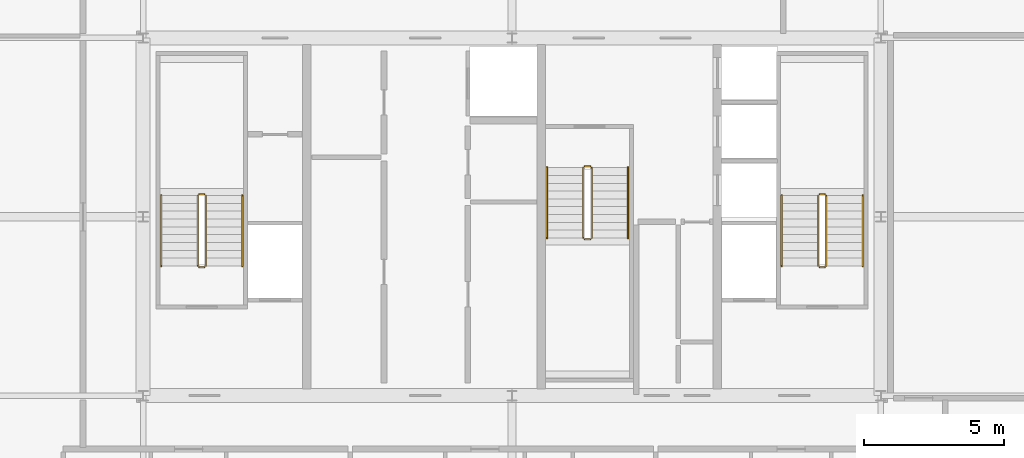
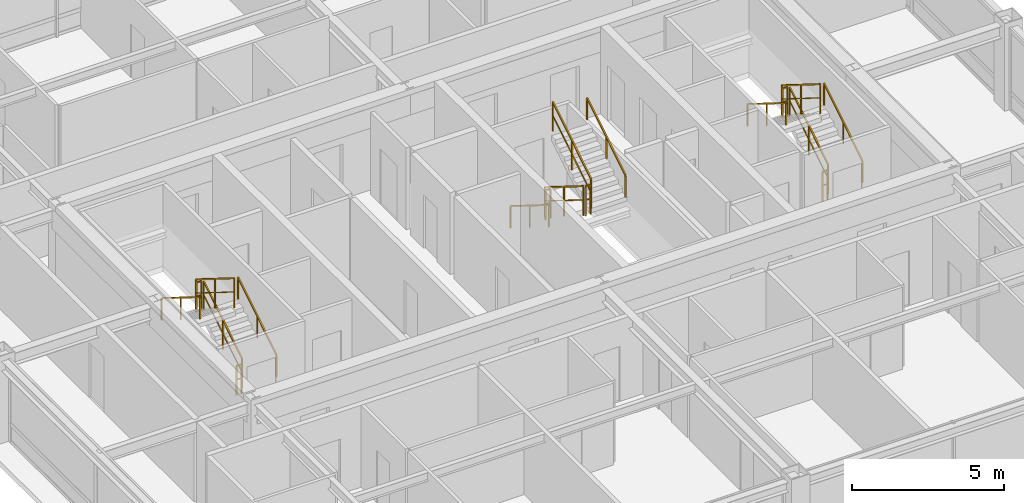
# One storey, part 35 of 35: 18 railings.
"""IFC4 building model written with IfcOpenShell, lengths in metres."""

from ifc_helpers import new_model, si_unit, direction, frame, origin, origin_2d, place, context, subcontext, project, spatial, rectangle, extrude, source, transform, mapped, material, layer, layer_set, type_object, element, save


model = new_model("IFC4")

# Units and contexts
model_context = context("Model", 3, precision=1e-05, world=origin(), true_north=direction((0.0, 1.0)))
body_context = subcontext(model_context, "Body", "Model", "MODEL_VIEW")
ifc_project = project(units=[si_unit("LENGTHUNIT", "METRE"), si_unit("AREAUNIT", "SQUARE_METRE"), si_unit("VOLUMEUNIT", "CUBIC_METRE"), si_unit("PLANEANGLEUNIT", "RADIAN"), si_unit("MASSUNIT", "GRAM", prefix="KILO"), si_unit("THERMODYNAMICTEMPERATUREUNIT", "KELVIN"), si_unit("POWERUNIT", "WATT")], contexts=[model_context])

# Site, building, storey
site_placement = place(None, origin())
site = spatial("IfcSite", under=ifc_project, at=site_placement, CompositionType="ELEMENT")
building_placement = place(site_placement, origin())
building = spatial("IfcBuilding", under=site, at=building_placement, Name="Yuzanri Waterfront Tower", CompositionType="ELEMENT")
storey_placement = place(building_placement, frame((0.0, 0.0, 311.199951171875)))
storey = spatial("IfcBuildingStorey", under=building, at=storey_placement, Name="L83", CompositionType="ELEMENT", Elevation=311.199951171875)

# Railings
ifc_material_1 = material(Name="Painted Galvanized Fire Steel", Category="steel")
ifc_layer_1 = layer(ifc_material_1, 0.06005859375)
ifc_layer_set_1 = layer_set([ifc_layer_1], Name="Painted Galvanized Fire Steel")
railing_type_1 = type_object("IfcRailingType", Name="Painted Steel Stairwell Guardrail 1120", PredefinedType="GUARDRAIL", material=ifc_layer_set_1)
shared_shape_1 = source(origin(), body_context, "Body", "SweptSolid", [
    extrude(rectangle(XDim=0.050048828125, YDim=0.050048828125, at=origin_2d()), frame((0.0, 0.0, 1.1748046875), z_axis=(-1.0, 0.0, 0.0), x_axis=(0.0, -1.0, 0.0)), (0.0, 0.0, 1.0), 0.199951171875),
    extrude(rectangle(XDim=0.035888671875, YDim=0.030029296875, at=origin_2d()), frame((0.0, 0.0, 0.6240234375), z_axis=(-1.0, 0.0, 0.0), x_axis=(0.0, -1.0, 0.0)), (0.0, 0.0, 1.0), 0.199951171875),
    extrude(rectangle(XDim=0.0458984375, YDim=0.0458984375, at=origin_2d()), origin(), (0.0, 0.0, 1.0), 1.14990234375),
    extrude(rectangle(XDim=0.0458984375, YDim=0.0458984375, at=origin_2d()), frame((-0.199951171875, 0.0, 0.0)), (0.0, 0.0, 1.0), 1.14990234375),
])
for number, where, name in (
    (1, (26.0, 26.610107421875, 1.75), "L83 ST-01 stair guard 2"),
    (2, (26.0, 23.989990234375, 0.0), "L83 ST-01 stair guard 4"),
    (3, (48.199951171875, 26.610107421875, 1.75), "L83 ST-02 stair guard 2"),
    (4, (48.199951171875, 23.989990234375, 0.0), "L83 ST-02 stair guard 4"),
):
    element("IfcRailing", number, at=place(storey_placement, frame(where)), inside=storey, type_object=railing_type_1, Name=name, PredefinedType="GUARDRAIL", context=body_context, shape_type="MappedRepresentation", body=[
        mapped(shared_shape_1, transform((0.0, 0.0, 0.0), scale=1.0)),
    ])
shared_shape_2 = source(origin(), body_context, "Body", "SweptSolid", [
    extrude(rectangle(XDim=0.050048828125, YDim=0.050048828125, at=origin_2d()), frame((0.0, 0.0, 1.1748046875), z_axis=(0.0, 0.848007534815, 0.529984170421), x_axis=(-1.0, 0.0, 0.0)), (0.0, 0.0, 1.0), 2.9716796875),
    extrude(rectangle(XDim=0.035888671875, YDim=0.030029296875, at=origin_2d()), frame((0.0, 0.0, 0.6240234375), z_axis=(0.0, 0.848007534815, 0.529984170421), x_axis=(-1.0, 0.0, 0.0)), (0.0, 0.0, 1.0), 2.9716796875),
    extrude(rectangle(XDim=0.0458984375, YDim=0.0458984375, at=origin_2d()), origin(), (0.0, 0.0, 1.0), 1.14990234375),
    extrude(rectangle(XDim=0.0458984375, YDim=0.0458984375, at=origin_2d()), frame((0.0, 1.260009765625, 0.78759765625)), (0.0, 0.0, 1.0), 1.14990234375),
    extrude(rectangle(XDim=0.0458984375, YDim=0.0458984375, at=origin_2d()), frame((0.0, 2.52001953125, 1.574951171875)), (0.0, 0.0, 1.0), 1.14990234375),
])
for number, where, name in (
    (5, (26.050048828125, 24.0400390625, 0.175048828125), "L83 ST-01 stair guard 1"),
    (6, (48.25, 24.0400390625, 0.175048828125), "L83 ST-02 stair guard 1"),
    (7, (39.85009765625, 25.0400390625, 1.925048828125), "L83 ST-03 stair guard 3"),
):
    element("IfcRailing", number, at=place(storey_placement, frame(where)), inside=storey, type_object=railing_type_1, Name=name, PredefinedType="GUARDRAIL", context=body_context, shape_type="MappedRepresentation", body=[
        mapped(shared_shape_2, transform((0.0, 0.0, 0.0), scale=1.0)),
    ])
shared_shape_3 = source(origin(), body_context, "Body", "SweptSolid", [
    extrude(rectangle(XDim=0.050048828125, YDim=0.050048828125, at=origin_2d()), frame((0.0, 0.0, 1.1748046875), z_axis=(0.0, -0.848007534815, 0.529984170421), x_axis=(1.0, 0.0, 0.0)), (0.0, 0.0, 1.0), 2.9716796875),
    extrude(rectangle(XDim=0.035888671875, YDim=0.030029296875, at=origin_2d()), frame((0.0, 0.0, 0.6240234375), z_axis=(0.0, -0.848007534815, 0.529984170421), x_axis=(1.0, 0.0, 0.0)), (0.0, 0.0, 1.0), 2.9716796875),
    extrude(rectangle(XDim=0.0458984375, YDim=0.0458984375, at=origin_2d()), origin(), (0.0, 0.0, 1.0), 1.14990234375),
    extrude(rectangle(XDim=0.0458984375, YDim=0.0458984375, at=origin_2d()), frame((0.0, -1.260009765625, 0.78759765625)), (0.0, 0.0, 1.0), 1.14990234375),
    extrude(rectangle(XDim=0.0458984375, YDim=0.0458984375, at=origin_2d()), frame((0.0, -2.52001953125, 1.574951171875)), (0.0, 0.0, 1.0), 1.14990234375),
])
for number, where, name in (
    (8, (25.75, 26.56005859375, 1.925048828125), "L83 ST-01 stair guard 3"),
    (9, (47.949951171875, 26.56005859375, 1.925048828125), "L83 ST-02 stair guard 3"),
    (10, (39.550048828125, 27.56005859375, 0.175048828125), "L83 ST-03 stair guard 1"),
):
    element("IfcRailing", number, at=place(storey_placement, frame(where)), inside=storey, type_object=railing_type_1, Name=name, PredefinedType="GUARDRAIL", context=body_context, shape_type="MappedRepresentation", body=[
        mapped(shared_shape_3, transform((0.0, 0.0, 0.0), scale=1.0)),
    ])
ifc_material_2 = material(Name="Anodized Architectural Bronze", Category="metal")
ifc_layer_2 = layer(ifc_material_2, 0.050048828125)
ifc_layer_set_2 = layer_set([ifc_layer_2], Name="Anodized Architectural Bronze")
railing_type_2 = type_object("IfcRailingType", Name="Brushed Bronze Stair Pitch Handrail 920", PredefinedType="HANDRAIL", material=ifc_layer_set_2)
shared_shape_4 = source(origin(), body_context, "Body", "SweptSolid", [
    extrude(rectangle(XDim=0.050048828125, YDim=0.050048828125, at=origin_2d()), frame((0.0, 0.0, 0.875), z_axis=(0.0, 0.848007534815, 0.529984170421), x_axis=(-1.0, 0.0, 0.0)), (0.0, 0.0, 1.0), 2.9716796875),
    extrude(rectangle(XDim=0.0458984375, YDim=0.0458984375, at=origin_2d()), origin(), (0.0, 0.0, 1.0), 0.849853515625),
    extrude(rectangle(XDim=0.0458984375, YDim=0.0458984375, at=origin_2d()), frame((0.0, 1.260009765625, 0.78759765625)), (0.0, 0.0, 1.0), 0.849853515625),
    extrude(rectangle(XDim=0.0458984375, YDim=0.0458984375, at=origin_2d()), frame((0.0, 2.52001953125, 1.574951171875)), (0.0, 0.0, 1.0), 0.849853515625),
])
for number, where, name in (
    (11, (27.35009765625, 24.0400390625, 0.175048828125), "L83 ST-01 stair handrail 1"),
    (12, (49.550048828125, 24.0400390625, 0.175048828125), "L83 ST-02 stair handrail 1"),
    (13, (41.14990234375, 25.0400390625, 1.925048828125), "L83 ST-03 stair handrail 2"),
):
    element("IfcRailing", number, at=place(storey_placement, frame(where)), inside=storey, type_object=railing_type_2, Name=name, PredefinedType="HANDRAIL", context=body_context, shape_type="MappedRepresentation", body=[
        mapped(shared_shape_4, transform((0.0, 0.0, 0.0), scale=1.0)),
    ])
shared_shape_5 = source(origin(), body_context, "Body", "SweptSolid", [
    extrude(rectangle(XDim=0.050048828125, YDim=0.050048828125, at=origin_2d()), frame((0.0, 0.0, 0.875), z_axis=(0.0, -0.848007534815, 0.529984170421), x_axis=(1.0, 0.0, 0.0)), (0.0, 0.0, 1.0), 2.9716796875),
    extrude(rectangle(XDim=0.0458984375, YDim=0.0458984375, at=origin_2d()), origin(), (0.0, 0.0, 1.0), 0.849853515625),
    extrude(rectangle(XDim=0.0458984375, YDim=0.0458984375, at=origin_2d()), frame((0.0, -1.260009765625, 0.78759765625)), (0.0, 0.0, 1.0), 0.849853515625),
    extrude(rectangle(XDim=0.0458984375, YDim=0.0458984375, at=origin_2d()), frame((0.0, -2.52001953125, 1.574951171875)), (0.0, 0.0, 1.0), 0.849853515625),
])
for number, where, name in (
    (14, (24.449951171875, 26.56005859375, 1.925048828125), "L83 ST-01 stair handrail 2"),
    (15, (46.64990234375, 26.56005859375, 1.925048828125), "L83 ST-02 stair handrail 2"),
    (16, (38.25, 27.56005859375, 0.175048828125), "L83 ST-03 stair handrail 1"),
):
    element("IfcRailing", number, at=place(storey_placement, frame(where)), inside=storey, type_object=railing_type_2, Name=name, PredefinedType="HANDRAIL", context=body_context, shape_type="MappedRepresentation", body=[
        mapped(shared_shape_5, transform((0.0, 0.0, 0.0), scale=1.0)),
    ])
shared_shape_6 = source(origin(), body_context, "Body", "SweptSolid", [
    extrude(rectangle(XDim=0.050048828125, YDim=0.050048828125, at=origin_2d()), frame((0.0, 0.0, 1.1748046875), z_axis=(1.0, 0.0, 0.0), x_axis=(0.0, 1.0, 0.0)), (0.0, 0.0, 1.0), 0.199951171875),
    extrude(rectangle(XDim=0.035888671875, YDim=0.030029296875, at=origin_2d()), frame((0.0, 0.0, 0.6240234375), z_axis=(1.0, 0.0, 0.0), x_axis=(0.0, 1.0, 0.0)), (0.0, 0.0, 1.0), 0.199951171875),
    extrude(rectangle(XDim=0.0458984375, YDim=0.0458984375, at=origin_2d()), origin(), (0.0, 0.0, 1.0), 1.14990234375),
    extrude(rectangle(XDim=0.0458984375, YDim=0.0458984375, at=origin_2d()), frame((0.199951171875, 0.0, 0.0)), (0.0, 0.0, 1.0), 1.14990234375),
])
for number, where, name in (
    (17, (39.60009765625, 24.989990234375, 1.75), "L83 ST-03 stair guard 2"),
    (18, (39.60009765625, 27.610107421875, 0.0), "L83 ST-03 stair guard 4"),
):
    element("IfcRailing", number, at=place(storey_placement, frame(where)), inside=storey, type_object=railing_type_1, Name=name, PredefinedType="GUARDRAIL", context=body_context, shape_type="MappedRepresentation", body=[
        mapped(shared_shape_6, transform((0.0, 0.0, 0.0), scale=1.0)),
    ])

save(model, "model.ifc")
